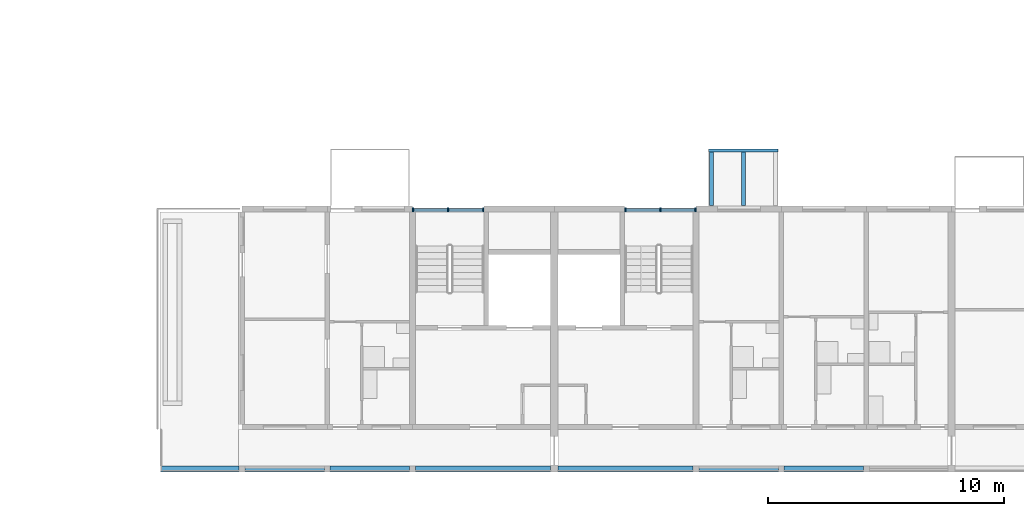
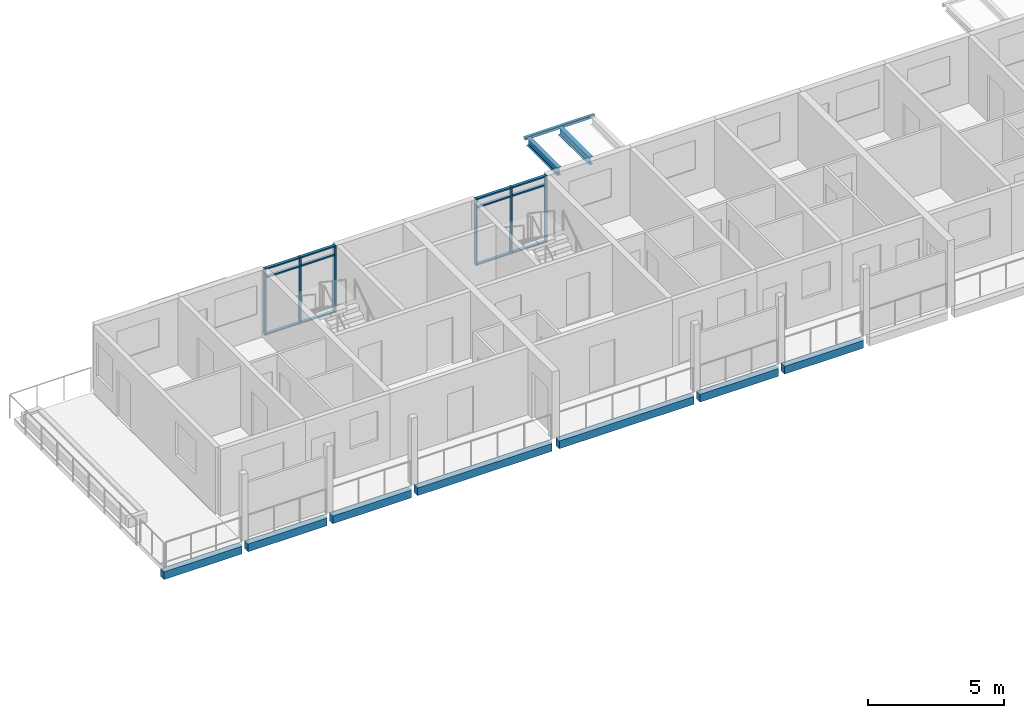
# One storey, part 15 of 87: 18 members, 10 beams, 2 elements without a shape of their own.
"""IFC4 building model written with IfcOpenShell, lengths in metres."""

from ifc_helpers import new_model, si_unit, direction, frame, origin, origin_2d, place, context, subcontext, project, spatial, rectangle, hollow_rectangle, i_section, extrude, material, material_profile, profile_set, type_object, element, aggregate, save


model = new_model("IFC4")

# Units and contexts
model_context = context("Model", 3, precision=1e-05, world=origin(), true_north=direction((0.0, 1.0)))
body_context = subcontext(model_context, "Body", "Model", "MODEL_VIEW")
ifc_project = project(units=[si_unit("LENGTHUNIT", "METRE"), si_unit("AREAUNIT", "SQUARE_METRE"), si_unit("VOLUMEUNIT", "CUBIC_METRE"), si_unit("PLANEANGLEUNIT", "RADIAN"), si_unit("MASSUNIT", "GRAM", prefix="KILO")], contexts=[model_context])

# Site, building, storey
site_placement = place(None, origin())
site = spatial("IfcSite", under=ifc_project, at=site_placement, CompositionType="ELEMENT")
building_placement = place(site_placement, origin())
building = spatial("IfcBuilding", under=site, at=building_placement, Name="Ridgestep Commons", CompositionType="ELEMENT")
storey_placement = place(building_placement, frame((0.0, 0.0, 27.0)))
storey = spatial("IfcBuildingStorey", under=building, at=storey_placement, Name="L09", CompositionType="ELEMENT", Elevation=27.0)

# Beams
ifc_material_1 = material(Name="Precast concrete C40/50", Category="concrete")
ifc_material_profile_1 = material_profile(ifc_material_1, rectangle(XDim=0.25, YDim=0.35009765625, at=origin_2d()), Name="PC 250x350")
ifc_profile_set_1 = profile_set([ifc_material_profile_1], Name="Precast concrete C40/50")
beam_type_1 = type_object("IfcBeamType", Name="Loggia edge beam 250 x 350", PredefinedType="SPANDREL", material=ifc_profile_set_1)
beam_1_placement = place(storey_placement, frame((146.949951171875, 11.875, -0.375), z_axis=(1.0, 0.0, 0.0), x_axis=(0.0, 1.0, 0.0)))
element("IfcBeam", 1, at=beam_1_placement, inside=storey, type_object=beam_type_1, Name="Loggia edge beam D1T1 L09", PredefinedType="SPANDREL", context=body_context, shape_type="SweptSolid", body=[
    extrude(rectangle(XDim=0.25, YDim=0.35009765625, at=origin_2d()), origin(), (0.0, 0.0, 1.0), 3.324951171875),
])
for number, where, z_axis, x_axis, name in (
    (2, (150.52490234375, 11.875, -0.375), (1.0, 0.0, 0.0), (0.0, 1.0, 0.0), "Loggia edge beam D1T2 L09"),
    (3, (154.125, 11.875, -0.375), (1.0, 0.0, 0.0), (0.0, 1.0, 0.0), "Loggia edge beam D1T3 L09"),
):
    element("IfcBeam", number, at=place(storey_placement, frame(where, z_axis=z_axis, x_axis=x_axis)), inside=storey, type_object=beam_type_1, Name=name, PredefinedType="SPANDREL", context=body_context, shape_type="SweptSolid", body=[
        extrude(rectangle(XDim=0.25, YDim=0.35009765625, at=origin_2d()), origin(), (0.0, 0.0, 1.0), 3.35009765625),
    ])
beam_2_placement = place(storey_placement, frame((157.72509765625, 11.875, -0.375), z_axis=(1.0, 0.0, 0.0), x_axis=(0.0, 1.0, 0.0)))
element("IfcBeam", 4, at=beam_2_placement, inside=storey, type_object=beam_type_1, Name="Loggia edge beam D1C L09", PredefinedType="SPANDREL", context=body_context, shape_type="SweptSolid", body=[
    extrude(rectangle(XDim=0.25, YDim=0.35009765625, at=origin_2d()), origin(), (0.0, 0.0, 1.0), 5.724853515625),
])
beam_3_placement = place(storey_placement, frame((163.75, 11.875, -0.375), z_axis=(1.0, 0.0, 0.0), x_axis=(0.0, 1.0, 0.0)))
element("IfcBeam", 5, at=beam_3_placement, inside=storey, type_object=beam_type_1, Name="Loggia edge beam D2C L09", PredefinedType="SPANDREL", context=body_context, shape_type="SweptSolid", body=[
    extrude(rectangle(XDim=0.25, YDim=0.35009765625, at=origin_2d()), origin(), (0.0, 0.0, 1.0), 5.72509765625),
])
beam_4_placement = place(storey_placement, frame((169.72509765625, 11.875, -0.375), z_axis=(1.0, 0.0, 0.0), x_axis=(0.0, 1.0, 0.0)))
element("IfcBeam", 6, at=beam_4_placement, inside=storey, type_object=beam_type_1, Name="Loggia edge beam D2T3 L09", PredefinedType="SPANDREL", context=body_context, shape_type="SweptSolid", body=[
    extrude(rectangle(XDim=0.25, YDim=0.35009765625, at=origin_2d()), origin(), (0.0, 0.0, 1.0), 3.349853515625),
])
beam_5_placement = place(storey_placement, frame((173.324951171875, 11.875, -0.375), z_axis=(1.0, 0.0, 0.0), x_axis=(0.0, 1.0, 0.0)))
element("IfcBeam", 7, at=beam_5_placement, inside=storey, type_object=beam_type_1, Name="Loggia edge beam D2T2 L09", PredefinedType="SPANDREL", context=body_context, shape_type="SweptSolid", body=[
    extrude(rectangle(XDim=0.25, YDim=0.35009765625, at=origin_2d()), origin(), (0.0, 0.0, 1.0), 3.35009765625),
])

# Curtain wall, members
ifc_material_2 = material(Name="Aluminium 6063-T6 and glass", Category="aluminium")
curtain_wall_type = type_object("IfcCurtainWallType", Name="Curtain wall stair strip", PredefinedType="NOTDEFINED", material=ifc_material_2)
curtain_wall_1_placement = place(storey_placement, origin())
curtain_wall_1 = element("IfcCurtainWall", 8, at=curtain_wall_1_placement, inside=storey, type_object=curtain_wall_type, Name="Curtain wall D1C level 09", PredefinedType="NOTDEFINED")
ifc_material_3 = material(Name="Aluminium 6063-T6", Category="aluminium")
ifc_material_profile_2 = material_profile(ifc_material_3, rectangle(XDim=0.159912109375, YDim=0.06005859375, at=origin_2d()), Name="Mullion 60 x 160")
ifc_profile_set_2 = profile_set([ifc_material_profile_2], Name="Aluminium 6063-T6")
member_type_1 = type_object("IfcMemberType", Name="Mullion 60 x 160", PredefinedType="MULLION", material=ifc_profile_set_2)
member_1_placement = place(storey_placement, frame((157.6298828125, 22.830078125, 0.0), z_axis=(0.0, 0.0, 1.0), x_axis=(0.0, 1.0, 0.0)))
member_1 = element("IfcMember", 9, at=member_1_placement, type_object=member_type_1, Name="CW1 mullion 1", PredefinedType="MULLION", context=body_context, shape_type="SweptSolid", body=[
    extrude(rectangle(XDim=0.159912109375, YDim=0.06005859375, at=origin_2d()), origin(), (0.0, 0.0, 1.0), 3.0),
])
member_2_placement = place(storey_placement, frame((159.112548828125, 22.830078125, 0.0), z_axis=(0.0, 0.0, 1.0), x_axis=(0.0, 1.0, 0.0)))
member_2 = element("IfcMember", 10, at=member_2_placement, type_object=member_type_1, Name="CW1 mullion 2", PredefinedType="MULLION", context=body_context, shape_type="SweptSolid", body=[
    extrude(rectangle(XDim=0.159912109375, YDim=0.06005859375, at=origin_2d()), origin(), (0.0, 0.0, 1.0), 3.0),
])
member_3_placement = place(storey_placement, frame((160.594970703125, 22.830078125, 0.0), z_axis=(0.0, 0.0, 1.0), x_axis=(0.0, 1.0, 0.0)))
member_3 = element("IfcMember", 11, at=member_3_placement, type_object=member_type_1, Name="CW1 mullion 3", PredefinedType="MULLION", context=body_context, shape_type="SweptSolid", body=[
    extrude(rectangle(XDim=0.159912109375, YDim=0.06005859375, at=origin_2d()), origin(), (0.0, 0.0, 1.0), 3.0),
])

curtain_wall_2_placement = place(storey_placement, origin())
curtain_wall_2 = element("IfcCurtainWall", 12, at=curtain_wall_2_placement, inside=storey, type_object=curtain_wall_type, Name="Curtain wall D2C level 09", PredefinedType="NOTDEFINED")
member_4_placement = place(storey_placement, frame((166.60498046875, 22.830078125, 0.0), z_axis=(0.0, 0.0, 1.0), x_axis=(0.0, 1.0, 0.0)))
member_4 = element("IfcMember", 13, at=member_4_placement, type_object=member_type_1, Name="CW1 mullion 1", PredefinedType="MULLION", context=body_context, shape_type="SweptSolid", body=[
    extrude(rectangle(XDim=0.159912109375, YDim=0.06005859375, at=origin_2d()), origin(), (0.0, 0.0, 1.0), 3.0),
])
member_5_placement = place(storey_placement, frame((168.08740234375, 22.830078125, 0.0), z_axis=(0.0, 0.0, 1.0), x_axis=(0.0, 1.0, 0.0)))
member_5 = element("IfcMember", 14, at=member_5_placement, type_object=member_type_1, Name="CW1 mullion 2", PredefinedType="MULLION", context=body_context, shape_type="SweptSolid", body=[
    extrude(rectangle(XDim=0.159912109375, YDim=0.06005859375, at=origin_2d()), origin(), (0.0, 0.0, 1.0), 3.0),
])
member_6_placement = place(storey_placement, frame((169.570068359375, 22.830078125, 0.0), z_axis=(0.0, 0.0, 1.0), x_axis=(0.0, 1.0, 0.0)))
member_6 = element("IfcMember", 15, at=member_6_placement, type_object=member_type_1, Name="CW1 mullion 3", PredefinedType="MULLION", context=body_context, shape_type="SweptSolid", body=[
    extrude(rectangle(XDim=0.159912109375, YDim=0.06005859375, at=origin_2d()), origin(), (0.0, 0.0, 1.0), 3.0),
])

# Member
ifc_material_4 = material(Name="Aluminium 6063-T6", Category="aluminium")
ifc_material_profile_3 = material_profile(ifc_material_4, rectangle(XDim=0.1201171875, YDim=0.06005859375, at=origin_2d()), Name="Transom 60 x 120")
ifc_profile_set_3 = profile_set([ifc_material_profile_3], Name="Aluminium 6063-T6")
member_type_2 = type_object("IfcMemberType", Name="Transom 60 x 120", PredefinedType="USERDEFINED", material=ifc_profile_set_3)
member_7_placement = place(storey_placement, frame((157.659912109375, 22.830078125, 0.030029296875), z_axis=(1.0, 0.0, 0.0), x_axis=(0.0, 1.0, 0.0)))
member_7 = element("IfcMember", 16, at=member_7_placement, type_object=member_type_2, Name="CW1 transom 1.1", ObjectType="TRANSOM", PredefinedType="USERDEFINED", context=body_context, shape_type="SweptSolid", body=[
    extrude(rectangle(XDim=0.1201171875, YDim=0.06005859375, at=origin_2d()), origin(), (0.0, 0.0, 1.0), 1.422607421875),
])

member_8_placement = place(storey_placement, frame((157.659912109375, 22.830078125, 2.590087890625), z_axis=(1.0, 0.0, 0.0), x_axis=(0.0, 1.0, 0.0)))
member_8 = element("IfcMember", 17, at=member_8_placement, type_object=member_type_2, Name="CW1 transom 1.2", ObjectType="TRANSOM", PredefinedType="USERDEFINED", context=body_context, shape_type="SweptSolid", body=[
    extrude(rectangle(XDim=0.1201171875, YDim=0.06005859375, at=origin_2d()), origin(), (0.0, 0.0, 1.0), 1.422607421875),
])

member_9_placement = place(storey_placement, frame((157.659912109375, 22.830078125, 2.969970703125), z_axis=(1.0, 0.0, 0.0), x_axis=(0.0, 1.0, 0.0)))
member_9 = element("IfcMember", 18, at=member_9_placement, type_object=member_type_2, Name="CW1 transom 1.3", ObjectType="TRANSOM", PredefinedType="USERDEFINED", context=body_context, shape_type="SweptSolid", body=[
    extrude(rectangle(XDim=0.1201171875, YDim=0.06005859375, at=origin_2d()), origin(), (0.0, 0.0, 1.0), 1.422607421875),
])

member_10_placement = place(storey_placement, frame((159.142578125, 22.830078125, 0.030029296875), z_axis=(1.0, 0.0, 0.0), x_axis=(0.0, 1.0, 0.0)))
member_10 = element("IfcMember", 19, at=member_10_placement, type_object=member_type_2, Name="CW1 transom 2.1", ObjectType="TRANSOM", PredefinedType="USERDEFINED", context=body_context, shape_type="SweptSolid", body=[
    extrude(rectangle(XDim=0.1201171875, YDim=0.06005859375, at=origin_2d()), origin(), (0.0, 0.0, 1.0), 1.42236328125),
])

member_11_placement = place(storey_placement, frame((159.142578125, 22.830078125, 2.590087890625), z_axis=(1.0, 0.0, 0.0), x_axis=(0.0, 1.0, 0.0)))
member_11 = element("IfcMember", 20, at=member_11_placement, type_object=member_type_2, Name="CW1 transom 2.2", ObjectType="TRANSOM", PredefinedType="USERDEFINED", context=body_context, shape_type="SweptSolid", body=[
    extrude(rectangle(XDim=0.1201171875, YDim=0.06005859375, at=origin_2d()), origin(), (0.0, 0.0, 1.0), 1.42236328125),
])

member_12_placement = place(storey_placement, frame((159.142578125, 22.830078125, 2.969970703125), z_axis=(1.0, 0.0, 0.0), x_axis=(0.0, 1.0, 0.0)))
member_12 = element("IfcMember", 21, at=member_12_placement, type_object=member_type_2, Name="CW1 transom 2.3", ObjectType="TRANSOM", PredefinedType="USERDEFINED", context=body_context, shape_type="SweptSolid", body=[
    extrude(rectangle(XDim=0.1201171875, YDim=0.06005859375, at=origin_2d()), origin(), (0.0, 0.0, 1.0), 1.42236328125),
])

aggregate(curtain_wall_1, [member_1, member_2, member_3, member_7, member_8, member_9, member_10, member_11, member_12])

member_13_placement = place(storey_placement, frame((166.635009765625, 22.830078125, 0.030029296875), z_axis=(1.0, 0.0, 0.0), x_axis=(0.0, 1.0, 0.0)))
member_13 = element("IfcMember", 22, at=member_13_placement, type_object=member_type_2, Name="CW1 transom 1.1", ObjectType="TRANSOM", PredefinedType="USERDEFINED", context=body_context, shape_type="SweptSolid", body=[
    extrude(rectangle(XDim=0.1201171875, YDim=0.06005859375, at=origin_2d()), origin(), (0.0, 0.0, 1.0), 1.422607421875),
])

member_14_placement = place(storey_placement, frame((166.635009765625, 22.830078125, 2.590087890625), z_axis=(1.0, 0.0, 0.0), x_axis=(0.0, 1.0, 0.0)))
member_14 = element("IfcMember", 23, at=member_14_placement, type_object=member_type_2, Name="CW1 transom 1.2", ObjectType="TRANSOM", PredefinedType="USERDEFINED", context=body_context, shape_type="SweptSolid", body=[
    extrude(rectangle(XDim=0.1201171875, YDim=0.06005859375, at=origin_2d()), origin(), (0.0, 0.0, 1.0), 1.422607421875),
])

member_15_placement = place(storey_placement, frame((166.635009765625, 22.830078125, 2.969970703125), z_axis=(1.0, 0.0, 0.0), x_axis=(0.0, 1.0, 0.0)))
member_15 = element("IfcMember", 24, at=member_15_placement, type_object=member_type_2, Name="CW1 transom 1.3", ObjectType="TRANSOM", PredefinedType="USERDEFINED", context=body_context, shape_type="SweptSolid", body=[
    extrude(rectangle(XDim=0.1201171875, YDim=0.06005859375, at=origin_2d()), origin(), (0.0, 0.0, 1.0), 1.422607421875),
])

member_16_placement = place(storey_placement, frame((168.117431640625, 22.830078125, 0.030029296875), z_axis=(1.0, 0.0, 0.0), x_axis=(0.0, 1.0, 0.0)))
member_16 = element("IfcMember", 25, at=member_16_placement, type_object=member_type_2, Name="CW1 transom 2.1", ObjectType="TRANSOM", PredefinedType="USERDEFINED", context=body_context, shape_type="SweptSolid", body=[
    extrude(rectangle(XDim=0.1201171875, YDim=0.06005859375, at=origin_2d()), origin(), (0.0, 0.0, 1.0), 1.422607421875),
])

member_17_placement = place(storey_placement, frame((168.117431640625, 22.830078125, 2.590087890625), z_axis=(1.0, 0.0, 0.0), x_axis=(0.0, 1.0, 0.0)))
member_17 = element("IfcMember", 26, at=member_17_placement, type_object=member_type_2, Name="CW1 transom 2.2", ObjectType="TRANSOM", PredefinedType="USERDEFINED", context=body_context, shape_type="SweptSolid", body=[
    extrude(rectangle(XDim=0.1201171875, YDim=0.06005859375, at=origin_2d()), origin(), (0.0, 0.0, 1.0), 1.422607421875),
])

member_18_placement = place(storey_placement, frame((168.117431640625, 22.830078125, 2.969970703125), z_axis=(1.0, 0.0, 0.0), x_axis=(0.0, 1.0, 0.0)))
member_18 = element("IfcMember", 27, at=member_18_placement, type_object=member_type_2, Name="CW1 transom 2.3", ObjectType="TRANSOM", PredefinedType="USERDEFINED", context=body_context, shape_type="SweptSolid", body=[
    extrude(rectangle(XDim=0.1201171875, YDim=0.06005859375, at=origin_2d()), origin(), (0.0, 0.0, 1.0), 1.422607421875),
])

aggregate(curtain_wall_2, [member_4, member_5, member_6, member_13, member_14, member_15, member_16, member_17, member_18])

# Beams
ifc_material_5 = material(Name="Weathering steel S355J2W", Category="steel")
ifc_material_profile_4 = material_profile(ifc_material_5, i_section(OverallWidth=0.171142578125, OverallDepth=0.351318359375, WebThickness=0.007080078125, FlangeThickness=0.009765625, FilletRadius=0.01025390625, at=origin_2d()), Name="UB 356x171x45")
ifc_profile_set_4 = profile_set([ifc_material_profile_4], Name="Weathering steel S355J2W")
beam_type_2 = type_object("IfcBeamType", Name="Tray arm UB 356x171x45", PredefinedType="BEAM", material=ifc_profile_set_4)
for number, where, z_axis, x_axis, name in (
    (28, (170.25, 23.014892578125, 2.814208984375), (0.0, 1.0, 0.0), (-1.0, 0.0, 0.0), "Tray arm D2T3-10.1"),
    (29, (171.60009765625, 23.014892578125, 2.814208984375), (0.0, 1.0, 0.0), (-1.0, 0.0, 0.0), "Tray arm D2T3-10.2"),
):
    element("IfcBeam", number, at=place(storey_placement, frame(where, z_axis=z_axis, x_axis=x_axis)), inside=storey, type_object=beam_type_2, Name=name, PredefinedType="BEAM", context=body_context, shape_type="SweptSolid", body=[
        extrude(i_section(OverallWidth=0.171142578125, OverallDepth=0.351318359375, WebThickness=0.007080078125, FlangeThickness=0.009765625, FilletRadius=0.01025390625, at=origin_2d()), origin(), (0.0, 0.0, 1.0), 2.26513671875),
    ])
ifc_material_6 = material(Name="Weathering steel S355J2W", Category="steel")
ifc_material_profile_5 = material_profile(ifc_material_6, hollow_rectangle(XDim=0.1201171875, YDim=0.1201171875, WallThickness=0.00634765625, InnerFilletRadius=0.00634765625, OuterFilletRadius=0.009521484375, at=origin_2d()), Name="SHS 120x120x6.3")
ifc_profile_set_5 = profile_set([ifc_material_profile_5], Name="Weathering steel S355J2W")
beam_type_3 = type_object("IfcBeamType", Name="Tray edge member SHS 120x120x6.3", PredefinedType="BEAM", material=ifc_profile_set_5)
beam_6_placement = place(storey_placement, frame((170.1298828125, 25.340087890625, 2.929931640625), z_axis=(1.0, 0.0, 0.0), x_axis=(0.0, 0.0, 1.0)))
element("IfcBeam", 30, at=beam_6_placement, inside=storey, type_object=beam_type_3, Name="Tray edge member D2T3-10", PredefinedType="BEAM", context=body_context, shape_type="SweptSolid", body=[
    extrude(hollow_rectangle(XDim=0.1201171875, YDim=0.1201171875, WallThickness=0.00634765625, InnerFilletRadius=0.00634765625, OuterFilletRadius=0.009521484375, at=origin_2d()), origin(), (0.0, 0.0, 1.0), 2.940185546875),
])

save(model, "model.ifc")
